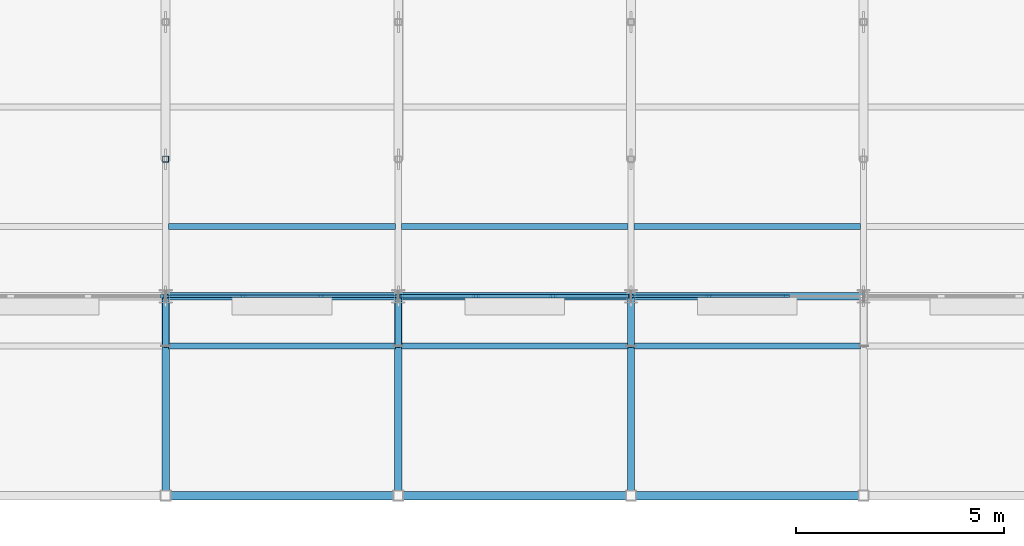
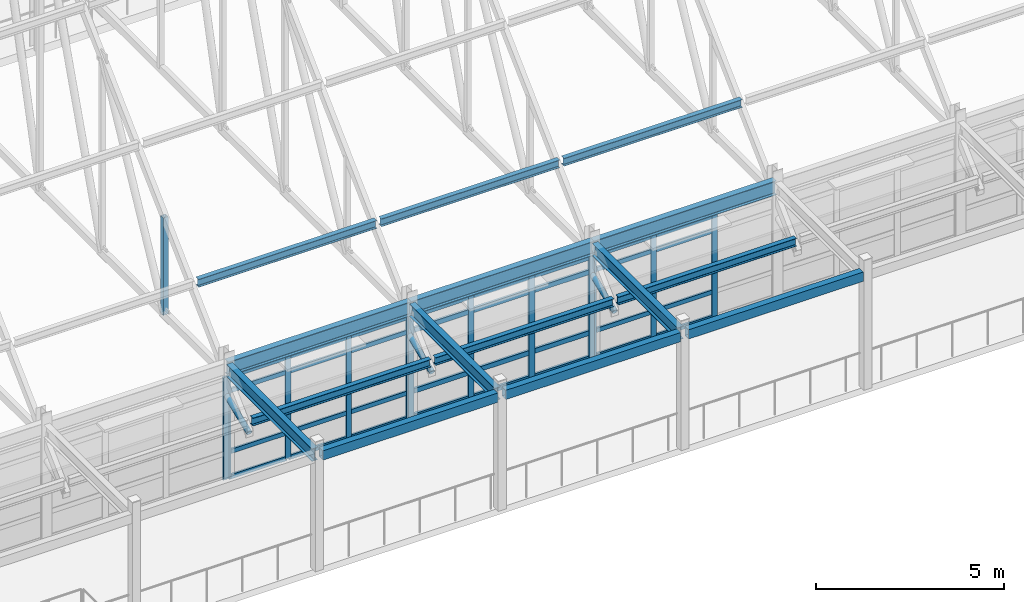
# One storey, part 24 of 144: 54 members, 9 beams, 4 elements without a shape of their own.
"""IFC4 building model written with IfcOpenShell, lengths in metres."""

from ifc_helpers import new_model, si_unit, direction, frame, origin, origin_2d, place, context, subcontext, project, spatial, rectangle, hollow_rectangle, hollow_circle, i_section, extrude, material, layer, layer_set, material_profile, profile_set, type_object, element, aggregate, save


model = new_model("IFC4")

# Units and contexts
model_context = context("Model", 3, precision=1e-05, world=origin(), true_north=direction((0.0, 1.0)))
body_context = subcontext(model_context, "Body", "Model", "MODEL_VIEW")
ifc_project = project(units=[si_unit("LENGTHUNIT", "METRE"), si_unit("AREAUNIT", "SQUARE_METRE"), si_unit("VOLUMEUNIT", "CUBIC_METRE"), si_unit("PLANEANGLEUNIT", "RADIAN"), si_unit("MASSUNIT", "GRAM", prefix="KILO")], contexts=[model_context])

# Site, building, storey
site_placement = place(None, origin())
site = spatial("IfcSite", under=ifc_project, at=site_placement, CompositionType="ELEMENT")
building_placement = place(site_placement, origin())
building = spatial("IfcBuilding", under=site, at=building_placement, Name="Trelmorton Wharf Fire Station", CompositionType="ELEMENT")
storey_placement = place(building_placement, frame((0.0, 0.0, 5.39990234375)))
storey = spatial("IfcBuildingStorey", under=building, at=storey_placement, Name="L01", CompositionType="ELEMENT", Elevation=5.39990234375)

# Beams
ifc_material_1 = material(Name="Steel Grade 350", Category="steel")
ifc_material_profile_1 = material_profile(ifc_material_1, i_section(OverallWidth=0.177978515625, OverallDepth=0.406005859375, WebThickness=0.0078125, FlangeThickness=0.0126953125, FilletRadius=0.011474609375, at=origin_2d()), Name="410UB59.7")
ifc_profile_set_1 = profile_set([ifc_material_profile_1], Name="Steel Grade 350")
beam_type_1 = type_object("IfcBeamType", Name="BM_410UB60", PredefinedType="BEAM", material=ifc_profile_set_1)
for number, where, z_axis, x_axis, name in (
    (1, (17.60009765625, 3.12109375, 3.6171875), (0.0, 1.0, 0.0), (-1.0, 0.0, 0.0), "BM-L01-0575"),
    (2, (23.199951171875, 3.12109375, 3.6171875), (0.0, 1.0, 0.0), (-1.0, 0.0, 0.0), "BM-L01-0579"),
    (3, (28.800048828125, 3.12109375, 3.6171875), (0.0, 1.0, 0.0), (-1.0, 0.0, 0.0), "BM-L01-0580"),
):
    element("IfcBeam", number, at=place(storey_placement, frame(where, z_axis=z_axis, x_axis=x_axis)), inside=storey, type_object=beam_type_1, Name=name, PredefinedType="BEAM", context=body_context, shape_type="SweptSolid", body=[
        extrude(i_section(OverallWidth=0.177978515625, OverallDepth=0.406005859375, WebThickness=0.0078125, FlangeThickness=0.0126953125, FilletRadius=0.011474609375, at=origin_2d()), origin(), (0.0, 0.0, 1.0), 4.525390625),
    ])
ifc_material_2 = material(Name="Signal-red architectural steel Grade 350", Category="steel")
ifc_material_profile_2 = material_profile(ifc_material_2, hollow_rectangle(XDim=0.199951171875, YDim=0.300048828125, WallThickness=0.012451171875, at=origin_2d()), Name="300x200x12.5RHS")
ifc_profile_set_2 = profile_set([ifc_material_profile_2], Name="Signal-red architectural steel Grade 350")
beam_type_2 = type_object("IfcBeamType", Name="BM_RED_300RHS", PredefinedType="BEAM", material=ifc_profile_set_2)
beam_1_placement = place(storey_placement, frame((17.720947265625, 3.0, 3.670166015625), z_axis=(1.0, 0.0, 0.0), x_axis=(0.0, 1.0, 0.0)))
element("IfcBeam", 4, at=beam_1_placement, inside=storey, type_object=beam_type_2, Name="BM-L01-0396", PredefinedType="BEAM", context=body_context, shape_type="SweptSolid", body=[
    extrude(hollow_rectangle(XDim=0.199951171875, YDim=0.300048828125, WallThickness=0.012451171875, at=origin_2d()), origin(), (0.0, 0.0, 1.0), 5.358154296875),
])
beam_2_placement = place(storey_placement, frame((23.321044921875, 3.0, 3.670166015625), z_axis=(1.0, 0.0, 0.0), x_axis=(0.0, 1.0, 0.0)))
element("IfcBeam", 5, at=beam_2_placement, inside=storey, type_object=beam_type_2, Name="BM-L01-0397", PredefinedType="BEAM", context=body_context, shape_type="SweptSolid", body=[
    extrude(hollow_rectangle(XDim=0.199951171875, YDim=0.300048828125, WallThickness=0.012451171875, at=origin_2d()), origin(), (0.0, 0.0, 1.0), 5.35791015625),
])
beam_3_placement = place(storey_placement, frame((28.9208984375, 3.0, 3.670166015625), z_axis=(1.0, 0.0, 0.0), x_axis=(0.0, 1.0, 0.0)))
element("IfcBeam", 6, at=beam_3_placement, inside=storey, type_object=beam_type_2, Name="BM-L01-0398", PredefinedType="BEAM", context=body_context, shape_type="SweptSolid", body=[
    extrude(hollow_rectangle(XDim=0.199951171875, YDim=0.300048828125, WallThickness=0.012451171875, at=origin_2d()), origin(), (0.0, 0.0, 1.0), 5.358154296875),
])

# Curtain wall, members
ifc_material_3 = material(Name="Anodised aluminium AW-6063", Category="aluminium")
ifc_layer = layer(ifc_material_3, 0.159912109375)
ifc_layer_set = layer_set([ifc_layer], Name="Anodised aluminium AW-6063")
curtain_wall_type = type_object("IfcCurtainWallType", Name="CW_CHIC_A", PredefinedType="USERDEFINED", material=ifc_layer_set)
curtain_wall_1_placement = place(storey_placement, origin())
curtain_wall_1 = element("IfcCurtainWall", 7, at=curtain_wall_1_placement, inside=storey, type_object=curtain_wall_type, Name="CW-V1-L01-003", ObjectType="CHICAGO BAY CURTAIN WALL", PredefinedType="USERDEFINED")
ifc_material_profile_3 = material_profile(ifc_material_3, rectangle(XDim=0.06494140625, YDim=0.159912109375, at=origin_2d()), Name="ALU-65x160")
ifc_profile_set_3 = profile_set([ifc_material_profile_3], Name="Anodised aluminium AW-6063")
member_type_1 = type_object("IfcMemberType", Name="CWM_65x160", PredefinedType="MULLION", material=ifc_profile_set_3)
member_1_placement = place(storey_placement, frame((23.1650390625, 7.800048828125, 0.0), z_axis=(0.0, 0.0, 1.0), x_axis=(0.0, -1.0, 0.0)))
member_1 = element("IfcMember", 8, at=member_1_placement, type_object=member_type_1, Name="CW1 mullion 1", PredefinedType="MULLION", context=body_context, shape_type="SweptSolid", body=[
    extrude(rectangle(XDim=0.06494140625, YDim=0.159912109375, at=origin_2d()), origin(), (0.0, 0.0, 1.0), 3.320068359375),
])
member_2_placement = place(storey_placement, frame((21.331787109375, 7.800048828125, 0.0), z_axis=(0.0, 0.0, 1.0), x_axis=(0.0, -1.0, 0.0)))
member_2 = element("IfcMember", 9, at=member_2_placement, type_object=member_type_1, Name="CW1 mullion 2", PredefinedType="MULLION", context=body_context, shape_type="SweptSolid", body=[
    extrude(rectangle(XDim=0.06494140625, YDim=0.159912109375, at=origin_2d()), origin(), (0.0, 0.0, 1.0), 3.320068359375),
])
member_3_placement = place(storey_placement, frame((19.46826171875, 7.800048828125, 0.0), z_axis=(0.0, 0.0, 1.0), x_axis=(0.0, -1.0, 0.0)))
member_3 = element("IfcMember", 10, at=member_3_placement, type_object=member_type_1, Name="CW1 mullion 3", PredefinedType="MULLION", context=body_context, shape_type="SweptSolid", body=[
    extrude(rectangle(XDim=0.06494140625, YDim=0.159912109375, at=origin_2d()), origin(), (0.0, 0.0, 1.0), 3.320068359375),
])
member_4_placement = place(storey_placement, frame((17.635009765625, 7.800048828125, 0.0), z_axis=(0.0, 0.0, 1.0), x_axis=(0.0, -1.0, 0.0)))
member_4 = element("IfcMember", 11, at=member_4_placement, type_object=member_type_1, Name="CW1 mullion 4", PredefinedType="MULLION", context=body_context, shape_type="SweptSolid", body=[
    extrude(rectangle(XDim=0.06494140625, YDim=0.159912109375, at=origin_2d()), origin(), (0.0, 0.0, 1.0), 3.320068359375),
])

curtain_wall_2_placement = place(storey_placement, origin())
curtain_wall_2 = element("IfcCurtainWall", 12, at=curtain_wall_2_placement, inside=storey, type_object=curtain_wall_type, Name="CW-V1-L01-005", ObjectType="CHICAGO BAY CURTAIN WALL", PredefinedType="USERDEFINED")
member_5_placement = place(storey_placement, frame((32.53173828125, 7.800048828125, 0.0), z_axis=(0.0, 0.0, 1.0), x_axis=(0.0, -1.0, 0.0)))
member_5 = element("IfcMember", 13, at=member_5_placement, type_object=member_type_1, Name="CW1 mullion 2", PredefinedType="MULLION", context=body_context, shape_type="SweptSolid", body=[
    extrude(rectangle(XDim=0.06494140625, YDim=0.159912109375, at=origin_2d()), origin(), (0.0, 0.0, 1.0), 3.320068359375),
])
member_6_placement = place(storey_placement, frame((30.668212890625, 7.800048828125, 0.0), z_axis=(0.0, 0.0, 1.0), x_axis=(0.0, -1.0, 0.0)))
member_6 = element("IfcMember", 14, at=member_6_placement, type_object=member_type_1, Name="CW1 mullion 3", PredefinedType="MULLION", context=body_context, shape_type="SweptSolid", body=[
    extrude(rectangle(XDim=0.06494140625, YDim=0.159912109375, at=origin_2d()), origin(), (0.0, 0.0, 1.0), 3.320068359375),
])
member_7_placement = place(storey_placement, frame((28.8349609375, 7.800048828125, 0.0), z_axis=(0.0, 0.0, 1.0), x_axis=(0.0, -1.0, 0.0)))
member_7 = element("IfcMember", 15, at=member_7_placement, type_object=member_type_1, Name="CW1 mullion 4", PredefinedType="MULLION", context=body_context, shape_type="SweptSolid", body=[
    extrude(rectangle(XDim=0.06494140625, YDim=0.159912109375, at=origin_2d()), origin(), (0.0, 0.0, 1.0), 3.320068359375),
])

# Curtain wall, member
curtain_wall_3_placement = place(storey_placement, origin())
curtain_wall_3 = element("IfcCurtainWall", 16, at=curtain_wall_3_placement, inside=storey, type_object=curtain_wall_type, Name="CW-V1-L01-002", ObjectType="CHICAGO BAY CURTAIN WALL", PredefinedType="USERDEFINED")
ifc_material_profile_4 = material_profile(ifc_material_3, rectangle(XDim=0.074951171875, YDim=0.175048828125, at=origin_2d()), Name="ALU-75x175")
ifc_profile_set_4 = profile_set([ifc_material_profile_4], Name="Anodised aluminium AW-6063")
member_type_2 = type_object("IfcMemberType", Name="CWM_75x175", PredefinedType="MULLION", material=ifc_profile_set_4)
member_8_placement = place(storey_placement, frame((17.56494140625, 7.800048828125, 0.0), z_axis=(0.0, 0.0, 1.0), x_axis=(0.0, -1.0, 0.0)))
member_8 = element("IfcMember", 17, at=member_8_placement, type_object=member_type_2, Name="CW1 mullion 1", PredefinedType="MULLION", context=body_context, shape_type="SweptSolid", body=[
    extrude(rectangle(XDim=0.074951171875, YDim=0.175048828125, at=origin_2d()), origin(), (0.0, 0.0, 1.0), 3.320068359375),
])
aggregate(curtain_wall_3, [member_8])

# Curtain wall, members
curtain_wall_4_placement = place(storey_placement, origin())
curtain_wall_4 = element("IfcCurtainWall", 18, at=curtain_wall_4_placement, inside=storey, type_object=curtain_wall_type, Name="CW-V1-L01-004", ObjectType="CHICAGO BAY CURTAIN WALL", PredefinedType="USERDEFINED")
member_9_placement = place(storey_placement, frame((28.764892578125, 7.800048828125, 0.0), z_axis=(0.0, 0.0, 1.0), x_axis=(0.0, -1.0, 0.0)))
member_9 = element("IfcMember", 19, at=member_9_placement, type_object=member_type_2, Name="CW1 mullion 1", PredefinedType="MULLION", context=body_context, shape_type="SweptSolid", body=[
    extrude(rectangle(XDim=0.074951171875, YDim=0.175048828125, at=origin_2d()), origin(), (0.0, 0.0, 1.0), 3.320068359375),
])
member_10_placement = place(storey_placement, frame((26.931640625, 7.800048828125, 0.0), z_axis=(0.0, 0.0, 1.0), x_axis=(0.0, -1.0, 0.0)))
member_10 = element("IfcMember", 20, at=member_10_placement, type_object=member_type_2, Name="CW1 mullion 2", PredefinedType="MULLION", context=body_context, shape_type="SweptSolid", body=[
    extrude(rectangle(XDim=0.074951171875, YDim=0.175048828125, at=origin_2d()), origin(), (0.0, 0.0, 1.0), 3.320068359375),
])
member_11_placement = place(storey_placement, frame((25.068359375, 7.800048828125, 0.0), z_axis=(0.0, 0.0, 1.0), x_axis=(0.0, -1.0, 0.0)))
member_11 = element("IfcMember", 21, at=member_11_placement, type_object=member_type_2, Name="CW1 mullion 3", PredefinedType="MULLION", context=body_context, shape_type="SweptSolid", body=[
    extrude(rectangle(XDim=0.074951171875, YDim=0.175048828125, at=origin_2d()), origin(), (0.0, 0.0, 1.0), 3.320068359375),
])
member_12_placement = place(storey_placement, frame((23.235107421875, 7.800048828125, 0.0), z_axis=(0.0, 0.0, 1.0), x_axis=(0.0, -1.0, 0.0)))
member_12 = element("IfcMember", 22, at=member_12_placement, type_object=member_type_2, Name="CW1 mullion 4", PredefinedType="MULLION", context=body_context, shape_type="SweptSolid", body=[
    extrude(rectangle(XDim=0.074951171875, YDim=0.175048828125, at=origin_2d()), origin(), (0.0, 0.0, 1.0), 3.320068359375),
])

# Member
ifc_material_profile_5 = material_profile(ifc_material_3, rectangle(XDim=0.06494140625, YDim=0.139892578125, at=origin_2d()), Name="ALU-65x140")
ifc_profile_set_5 = profile_set([ifc_material_profile_5], Name="Anodised aluminium AW-6063")
member_type_3 = type_object("IfcMemberType", Name="CWT_65x140", PredefinedType="USERDEFINED", material=ifc_profile_set_5)
member_13_placement = place(storey_placement, frame((23.135009765625, 7.800048828125, 0.030029296875), z_axis=(-1.0, 0.0, 0.0), x_axis=(0.0, -1.0, 0.0)))
member_13 = element("IfcMember", 23, at=member_13_placement, type_object=member_type_3, Name="CW1 transom 1.1", ObjectType="TRANSOM", PredefinedType="USERDEFINED", context=body_context, shape_type="SweptSolid", body=[
    extrude(rectangle(XDim=0.06494140625, YDim=0.139892578125, at=origin_2d()), origin(), (0.0, 0.0, 1.0), 1.7734375),
])

member_14_placement = place(storey_placement, frame((23.135009765625, 7.800048828125, 0.85009765625), z_axis=(-1.0, 0.0, 0.0), x_axis=(0.0, -1.0, 0.0)))
member_14 = element("IfcMember", 24, at=member_14_placement, type_object=member_type_3, Name="CW1 transom 1.2", ObjectType="TRANSOM", PredefinedType="USERDEFINED", context=body_context, shape_type="SweptSolid", body=[
    extrude(rectangle(XDim=0.06494140625, YDim=0.139892578125, at=origin_2d()), origin(), (0.0, 0.0, 1.0), 1.7734375),
])

member_15_placement = place(storey_placement, frame((23.135009765625, 7.800048828125, 2.820068359375), z_axis=(-1.0, 0.0, 0.0), x_axis=(0.0, -1.0, 0.0)))
member_15 = element("IfcMember", 25, at=member_15_placement, type_object=member_type_3, Name="CW1 transom 1.3", ObjectType="TRANSOM", PredefinedType="USERDEFINED", context=body_context, shape_type="SweptSolid", body=[
    extrude(rectangle(XDim=0.06494140625, YDim=0.139892578125, at=origin_2d()), origin(), (0.0, 0.0, 1.0), 1.7734375),
])

member_16_placement = place(storey_placement, frame((23.135009765625, 7.800048828125, 3.2900390625), z_axis=(-1.0, 0.0, 0.0), x_axis=(0.0, -1.0, 0.0)))
member_16 = element("IfcMember", 26, at=member_16_placement, type_object=member_type_3, Name="CW1 transom 1.4", ObjectType="TRANSOM", PredefinedType="USERDEFINED", context=body_context, shape_type="SweptSolid", body=[
    extrude(rectangle(XDim=0.06494140625, YDim=0.139892578125, at=origin_2d()), origin(), (0.0, 0.0, 1.0), 1.7734375),
])

member_17_placement = place(storey_placement, frame((21.3017578125, 7.800048828125, 0.030029296875), z_axis=(-1.0, 0.0, 0.0), x_axis=(0.0, -1.0, 0.0)))
member_17 = element("IfcMember", 27, at=member_17_placement, type_object=member_type_3, Name="CW1 transom 2.1", ObjectType="TRANSOM", PredefinedType="USERDEFINED", context=body_context, shape_type="SweptSolid", body=[
    extrude(rectangle(XDim=0.06494140625, YDim=0.139892578125, at=origin_2d()), origin(), (0.0, 0.0, 1.0), 1.803466796875),
])

member_18_placement = place(storey_placement, frame((21.3017578125, 7.800048828125, 0.85009765625), z_axis=(-1.0, 0.0, 0.0), x_axis=(0.0, -1.0, 0.0)))
member_18 = element("IfcMember", 28, at=member_18_placement, type_object=member_type_3, Name="CW1 transom 2.2", ObjectType="TRANSOM", PredefinedType="USERDEFINED", context=body_context, shape_type="SweptSolid", body=[
    extrude(rectangle(XDim=0.06494140625, YDim=0.139892578125, at=origin_2d()), origin(), (0.0, 0.0, 1.0), 1.803466796875),
])

member_19_placement = place(storey_placement, frame((21.3017578125, 7.800048828125, 2.820068359375), z_axis=(-1.0, 0.0, 0.0), x_axis=(0.0, -1.0, 0.0)))
member_19 = element("IfcMember", 29, at=member_19_placement, type_object=member_type_3, Name="CW1 transom 2.3", ObjectType="TRANSOM", PredefinedType="USERDEFINED", context=body_context, shape_type="SweptSolid", body=[
    extrude(rectangle(XDim=0.06494140625, YDim=0.139892578125, at=origin_2d()), origin(), (0.0, 0.0, 1.0), 1.803466796875),
])

member_20_placement = place(storey_placement, frame((21.3017578125, 7.800048828125, 3.2900390625), z_axis=(-1.0, 0.0, 0.0), x_axis=(0.0, -1.0, 0.0)))
member_20 = element("IfcMember", 30, at=member_20_placement, type_object=member_type_3, Name="CW1 transom 2.4", ObjectType="TRANSOM", PredefinedType="USERDEFINED", context=body_context, shape_type="SweptSolid", body=[
    extrude(rectangle(XDim=0.06494140625, YDim=0.139892578125, at=origin_2d()), origin(), (0.0, 0.0, 1.0), 1.803466796875),
])

member_21_placement = place(storey_placement, frame((19.438232421875, 7.800048828125, 0.030029296875), z_axis=(-1.0, 0.0, 0.0), x_axis=(0.0, -1.0, 0.0)))
member_21 = element("IfcMember", 31, at=member_21_placement, type_object=member_type_3, Name="CW1 transom 3.1", ObjectType="TRANSOM", PredefinedType="USERDEFINED", context=body_context, shape_type="SweptSolid", body=[
    extrude(rectangle(XDim=0.06494140625, YDim=0.139892578125, at=origin_2d()), origin(), (0.0, 0.0, 1.0), 1.773193359375),
])

member_22_placement = place(storey_placement, frame((19.438232421875, 7.800048828125, 0.85009765625), z_axis=(-1.0, 0.0, 0.0), x_axis=(0.0, -1.0, 0.0)))
member_22 = element("IfcMember", 32, at=member_22_placement, type_object=member_type_3, Name="CW1 transom 3.2", ObjectType="TRANSOM", PredefinedType="USERDEFINED", context=body_context, shape_type="SweptSolid", body=[
    extrude(rectangle(XDim=0.06494140625, YDim=0.139892578125, at=origin_2d()), origin(), (0.0, 0.0, 1.0), 1.773193359375),
])

member_23_placement = place(storey_placement, frame((19.438232421875, 7.800048828125, 2.820068359375), z_axis=(-1.0, 0.0, 0.0), x_axis=(0.0, -1.0, 0.0)))
member_23 = element("IfcMember", 33, at=member_23_placement, type_object=member_type_3, Name="CW1 transom 3.3", ObjectType="TRANSOM", PredefinedType="USERDEFINED", context=body_context, shape_type="SweptSolid", body=[
    extrude(rectangle(XDim=0.06494140625, YDim=0.139892578125, at=origin_2d()), origin(), (0.0, 0.0, 1.0), 1.773193359375),
])

member_24_placement = place(storey_placement, frame((19.438232421875, 7.800048828125, 3.2900390625), z_axis=(-1.0, 0.0, 0.0), x_axis=(0.0, -1.0, 0.0)))
member_24 = element("IfcMember", 34, at=member_24_placement, type_object=member_type_3, Name="CW1 transom 3.4", ObjectType="TRANSOM", PredefinedType="USERDEFINED", context=body_context, shape_type="SweptSolid", body=[
    extrude(rectangle(XDim=0.06494140625, YDim=0.139892578125, at=origin_2d()), origin(), (0.0, 0.0, 1.0), 1.773193359375),
])

aggregate(curtain_wall_1, [member_1, member_2, member_3, member_4, member_13, member_14, member_15, member_16, member_17, member_18, member_19, member_20, member_21, member_22, member_23, member_24])

member_25_placement = place(storey_placement, frame((32.501708984375, 7.800048828125, 0.030029296875), z_axis=(-1.0, 0.0, 0.0), x_axis=(0.0, -1.0, 0.0)))
member_25 = element("IfcMember", 35, at=member_25_placement, type_object=member_type_3, Name="CW1 transom 2.1", ObjectType="TRANSOM", PredefinedType="USERDEFINED", context=body_context, shape_type="SweptSolid", body=[
    extrude(rectangle(XDim=0.06494140625, YDim=0.139892578125, at=origin_2d()), origin(), (0.0, 0.0, 1.0), 1.803466796875),
])

member_26_placement = place(storey_placement, frame((32.501708984375, 7.800048828125, 0.85009765625), z_axis=(-1.0, 0.0, 0.0), x_axis=(0.0, -1.0, 0.0)))
member_26 = element("IfcMember", 36, at=member_26_placement, type_object=member_type_3, Name="CW1 transom 2.2", ObjectType="TRANSOM", PredefinedType="USERDEFINED", context=body_context, shape_type="SweptSolid", body=[
    extrude(rectangle(XDim=0.06494140625, YDim=0.139892578125, at=origin_2d()), origin(), (0.0, 0.0, 1.0), 1.803466796875),
])

member_27_placement = place(storey_placement, frame((32.501708984375, 7.800048828125, 2.820068359375), z_axis=(-1.0, 0.0, 0.0), x_axis=(0.0, -1.0, 0.0)))
member_27 = element("IfcMember", 37, at=member_27_placement, type_object=member_type_3, Name="CW1 transom 2.3", ObjectType="TRANSOM", PredefinedType="USERDEFINED", context=body_context, shape_type="SweptSolid", body=[
    extrude(rectangle(XDim=0.06494140625, YDim=0.139892578125, at=origin_2d()), origin(), (0.0, 0.0, 1.0), 1.803466796875),
])

member_28_placement = place(storey_placement, frame((32.501708984375, 7.800048828125, 3.2900390625), z_axis=(-1.0, 0.0, 0.0), x_axis=(0.0, -1.0, 0.0)))
member_28 = element("IfcMember", 38, at=member_28_placement, type_object=member_type_3, Name="CW1 transom 2.4", ObjectType="TRANSOM", PredefinedType="USERDEFINED", context=body_context, shape_type="SweptSolid", body=[
    extrude(rectangle(XDim=0.06494140625, YDim=0.139892578125, at=origin_2d()), origin(), (0.0, 0.0, 1.0), 1.803466796875),
])

member_29_placement = place(storey_placement, frame((30.638427734375, 7.800048828125, 0.030029296875), z_axis=(-1.0, 0.0, 0.0), x_axis=(0.0, -1.0, 0.0)))
member_29 = element("IfcMember", 39, at=member_29_placement, type_object=member_type_3, Name="CW1 transom 3.1", ObjectType="TRANSOM", PredefinedType="USERDEFINED", context=body_context, shape_type="SweptSolid", body=[
    extrude(rectangle(XDim=0.06494140625, YDim=0.139892578125, at=origin_2d()), origin(), (0.0, 0.0, 1.0), 1.7734375),
])

member_30_placement = place(storey_placement, frame((30.638427734375, 7.800048828125, 0.85009765625), z_axis=(-1.0, 0.0, 0.0), x_axis=(0.0, -1.0, 0.0)))
member_30 = element("IfcMember", 40, at=member_30_placement, type_object=member_type_3, Name="CW1 transom 3.2", ObjectType="TRANSOM", PredefinedType="USERDEFINED", context=body_context, shape_type="SweptSolid", body=[
    extrude(rectangle(XDim=0.06494140625, YDim=0.139892578125, at=origin_2d()), origin(), (0.0, 0.0, 1.0), 1.7734375),
])

member_31_placement = place(storey_placement, frame((30.638427734375, 7.800048828125, 2.820068359375), z_axis=(-1.0, 0.0, 0.0), x_axis=(0.0, -1.0, 0.0)))
member_31 = element("IfcMember", 41, at=member_31_placement, type_object=member_type_3, Name="CW1 transom 3.3", ObjectType="TRANSOM", PredefinedType="USERDEFINED", context=body_context, shape_type="SweptSolid", body=[
    extrude(rectangle(XDim=0.06494140625, YDim=0.139892578125, at=origin_2d()), origin(), (0.0, 0.0, 1.0), 1.7734375),
])

member_32_placement = place(storey_placement, frame((30.638427734375, 7.800048828125, 3.2900390625), z_axis=(-1.0, 0.0, 0.0), x_axis=(0.0, -1.0, 0.0)))
member_32 = element("IfcMember", 42, at=member_32_placement, type_object=member_type_3, Name="CW1 transom 3.4", ObjectType="TRANSOM", PredefinedType="USERDEFINED", context=body_context, shape_type="SweptSolid", body=[
    extrude(rectangle(XDim=0.06494140625, YDim=0.139892578125, at=origin_2d()), origin(), (0.0, 0.0, 1.0), 1.7734375),
])

aggregate(curtain_wall_2, [member_5, member_6, member_7, member_25, member_26, member_27, member_28, member_29, member_30, member_31, member_32])

ifc_material_profile_6 = material_profile(ifc_material_3, rectangle(XDim=0.074951171875, YDim=0.155029296875, at=origin_2d()), Name="ALU-75x155")
ifc_profile_set_6 = profile_set([ifc_material_profile_6], Name="Anodised aluminium AW-6063")
member_type_4 = type_object("IfcMemberType", Name="CWT_75x155", PredefinedType="USERDEFINED", material=ifc_profile_set_6)
member_33_placement = place(storey_placement, frame((28.735107421875, 7.800048828125, 0.030029296875), z_axis=(-1.0, 0.0, 0.0), x_axis=(0.0, -1.0, 0.0)))
member_33 = element("IfcMember", 43, at=member_33_placement, type_object=member_type_4, Name="CW1 transom 1.1", ObjectType="TRANSOM", PredefinedType="USERDEFINED", context=body_context, shape_type="SweptSolid", body=[
    extrude(rectangle(XDim=0.074951171875, YDim=0.155029296875, at=origin_2d()), origin(), (0.0, 0.0, 1.0), 1.7734375),
])

member_34_placement = place(storey_placement, frame((28.735107421875, 7.800048828125, 0.85009765625), z_axis=(-1.0, 0.0, 0.0), x_axis=(0.0, -1.0, 0.0)))
member_34 = element("IfcMember", 44, at=member_34_placement, type_object=member_type_4, Name="CW1 transom 1.2", ObjectType="TRANSOM", PredefinedType="USERDEFINED", context=body_context, shape_type="SweptSolid", body=[
    extrude(rectangle(XDim=0.074951171875, YDim=0.155029296875, at=origin_2d()), origin(), (0.0, 0.0, 1.0), 1.7734375),
])

member_35_placement = place(storey_placement, frame((28.735107421875, 7.800048828125, 2.820068359375), z_axis=(-1.0, 0.0, 0.0), x_axis=(0.0, -1.0, 0.0)))
member_35 = element("IfcMember", 45, at=member_35_placement, type_object=member_type_4, Name="CW1 transom 1.3", ObjectType="TRANSOM", PredefinedType="USERDEFINED", context=body_context, shape_type="SweptSolid", body=[
    extrude(rectangle(XDim=0.074951171875, YDim=0.155029296875, at=origin_2d()), origin(), (0.0, 0.0, 1.0), 1.7734375),
])

member_36_placement = place(storey_placement, frame((28.735107421875, 7.800048828125, 3.2900390625), z_axis=(-1.0, 0.0, 0.0), x_axis=(0.0, -1.0, 0.0)))
member_36 = element("IfcMember", 46, at=member_36_placement, type_object=member_type_4, Name="CW1 transom 1.4", ObjectType="TRANSOM", PredefinedType="USERDEFINED", context=body_context, shape_type="SweptSolid", body=[
    extrude(rectangle(XDim=0.074951171875, YDim=0.155029296875, at=origin_2d()), origin(), (0.0, 0.0, 1.0), 1.7734375),
])

member_37_placement = place(storey_placement, frame((26.901611328125, 7.800048828125, 0.030029296875), z_axis=(-1.0, 0.0, 0.0), x_axis=(0.0, -1.0, 0.0)))
member_37 = element("IfcMember", 47, at=member_37_placement, type_object=member_type_4, Name="CW1 transom 2.1", ObjectType="TRANSOM", PredefinedType="USERDEFINED", context=body_context, shape_type="SweptSolid", body=[
    extrude(rectangle(XDim=0.074951171875, YDim=0.155029296875, at=origin_2d()), origin(), (0.0, 0.0, 1.0), 1.80322265625),
])

member_38_placement = place(storey_placement, frame((26.901611328125, 7.800048828125, 0.85009765625), z_axis=(-1.0, 0.0, 0.0), x_axis=(0.0, -1.0, 0.0)))
member_38 = element("IfcMember", 48, at=member_38_placement, type_object=member_type_4, Name="CW1 transom 2.2", ObjectType="TRANSOM", PredefinedType="USERDEFINED", context=body_context, shape_type="SweptSolid", body=[
    extrude(rectangle(XDim=0.074951171875, YDim=0.155029296875, at=origin_2d()), origin(), (0.0, 0.0, 1.0), 1.80322265625),
])

member_39_placement = place(storey_placement, frame((26.901611328125, 7.800048828125, 2.820068359375), z_axis=(-1.0, 0.0, 0.0), x_axis=(0.0, -1.0, 0.0)))
member_39 = element("IfcMember", 49, at=member_39_placement, type_object=member_type_4, Name="CW1 transom 2.3", ObjectType="TRANSOM", PredefinedType="USERDEFINED", context=body_context, shape_type="SweptSolid", body=[
    extrude(rectangle(XDim=0.074951171875, YDim=0.155029296875, at=origin_2d()), origin(), (0.0, 0.0, 1.0), 1.80322265625),
])

member_40_placement = place(storey_placement, frame((26.901611328125, 7.800048828125, 3.2900390625), z_axis=(-1.0, 0.0, 0.0), x_axis=(0.0, -1.0, 0.0)))
member_40 = element("IfcMember", 50, at=member_40_placement, type_object=member_type_4, Name="CW1 transom 2.4", ObjectType="TRANSOM", PredefinedType="USERDEFINED", context=body_context, shape_type="SweptSolid", body=[
    extrude(rectangle(XDim=0.074951171875, YDim=0.155029296875, at=origin_2d()), origin(), (0.0, 0.0, 1.0), 1.80322265625),
])

member_41_placement = place(storey_placement, frame((25.038330078125, 7.800048828125, 0.030029296875), z_axis=(-1.0, 0.0, 0.0), x_axis=(0.0, -1.0, 0.0)))
member_41 = element("IfcMember", 51, at=member_41_placement, type_object=member_type_4, Name="CW1 transom 3.1", ObjectType="TRANSOM", PredefinedType="USERDEFINED", context=body_context, shape_type="SweptSolid", body=[
    extrude(rectangle(XDim=0.074951171875, YDim=0.155029296875, at=origin_2d()), origin(), (0.0, 0.0, 1.0), 1.7734375),
])

member_42_placement = place(storey_placement, frame((25.038330078125, 7.800048828125, 0.85009765625), z_axis=(-1.0, 0.0, 0.0), x_axis=(0.0, -1.0, 0.0)))
member_42 = element("IfcMember", 52, at=member_42_placement, type_object=member_type_4, Name="CW1 transom 3.2", ObjectType="TRANSOM", PredefinedType="USERDEFINED", context=body_context, shape_type="SweptSolid", body=[
    extrude(rectangle(XDim=0.074951171875, YDim=0.155029296875, at=origin_2d()), origin(), (0.0, 0.0, 1.0), 1.7734375),
])

member_43_placement = place(storey_placement, frame((25.038330078125, 7.800048828125, 2.820068359375), z_axis=(-1.0, 0.0, 0.0), x_axis=(0.0, -1.0, 0.0)))
member_43 = element("IfcMember", 53, at=member_43_placement, type_object=member_type_4, Name="CW1 transom 3.3", ObjectType="TRANSOM", PredefinedType="USERDEFINED", context=body_context, shape_type="SweptSolid", body=[
    extrude(rectangle(XDim=0.074951171875, YDim=0.155029296875, at=origin_2d()), origin(), (0.0, 0.0, 1.0), 1.7734375),
])

member_44_placement = place(storey_placement, frame((25.038330078125, 7.800048828125, 3.2900390625), z_axis=(-1.0, 0.0, 0.0), x_axis=(0.0, -1.0, 0.0)))
member_44 = element("IfcMember", 54, at=member_44_placement, type_object=member_type_4, Name="CW1 transom 3.4", ObjectType="TRANSOM", PredefinedType="USERDEFINED", context=body_context, shape_type="SweptSolid", body=[
    extrude(rectangle(XDim=0.074951171875, YDim=0.155029296875, at=origin_2d()), origin(), (0.0, 0.0, 1.0), 1.7734375),
])

aggregate(curtain_wall_4, [member_9, member_10, member_11, member_12, member_33, member_34, member_35, member_36, member_37, member_38, member_39, member_40, member_41, member_42, member_43, member_44])

# Members
ifc_material_4 = material(Name="Steel Grade 300 (300 MPa)", Category="steel")
ifc_material_profile_7 = material_profile(ifc_material_4, i_section(OverallWidth=0.14599609375, OverallDepth=0.256103515625, WebThickness=0.00634765625, FlangeThickness=0.010986328125, FilletRadius=0.0087890625, at=origin_2d()), Name="250UB37.3")
ifc_profile_set_7 = profile_set([ifc_material_profile_7], Name="Steel Grade 300 (300 MPa)")
member_type_5 = type_object("IfcMemberType", Name="PR_250UB37", PredefinedType="PURLIN", material=ifc_profile_set_7)
for number, where, z_axis, x_axis, name in (
    (55, (17.672119140625, 6.60009765625, 2.566162109375), (1.0, 0.0, 0.0), (0.0, 1.0, 0.0), "V1-PR-B04-S0"),
    (56, (17.672119140625, 9.47998046875, 5.315185546875), (1.0, 0.0, 0.0), (0.0, 1.0, 0.0), "V1-PR-B04-S1"),
):
    element("IfcMember", number, at=place(storey_placement, frame(where, z_axis=z_axis, x_axis=x_axis)), inside=storey, type_object=member_type_5, Name=name, PredefinedType="PURLIN", context=body_context, shape_type="SweptSolid", body=[
        extrude(i_section(OverallWidth=0.14599609375, OverallDepth=0.256103515625, WebThickness=0.00634765625, FlangeThickness=0.010986328125, FilletRadius=0.0087890625, at=origin_2d()), origin(), (0.0, 0.0, 1.0), 5.455810546875),
    ])
for number, where, z_axis, x_axis, name in (
    (57, (23.27197265625, 6.60009765625, 2.566162109375), (1.0, 0.0, 0.0), (0.0, 1.0, 0.0), "V1-PR-B05-S0"),
    (58, (23.27197265625, 9.47998046875, 5.315185546875), (1.0, 0.0, 0.0), (0.0, 1.0, 0.0), "V1-PR-B05-S1"),
):
    element("IfcMember", number, at=place(storey_placement, frame(where, z_axis=z_axis, x_axis=x_axis)), inside=storey, type_object=member_type_5, Name=name, PredefinedType="PURLIN", context=body_context, shape_type="SweptSolid", body=[
        extrude(i_section(OverallWidth=0.14599609375, OverallDepth=0.256103515625, WebThickness=0.00634765625, FlangeThickness=0.010986328125, FilletRadius=0.0087890625, at=origin_2d()), origin(), (0.0, 0.0, 1.0), 5.4560546875),
    ])
for number, where, z_axis, x_axis, name in (
    (59, (28.8720703125, 6.60009765625, 2.566162109375), (1.0, 0.0, 0.0), (0.0, 1.0, 0.0), "V1-PR-B06-S0"),
    (60, (28.8720703125, 9.47998046875, 5.315185546875), (1.0, 0.0, 0.0), (0.0, 1.0, 0.0), "V1-PR-B06-S1"),
):
    element("IfcMember", number, at=place(storey_placement, frame(where, z_axis=z_axis, x_axis=x_axis)), inside=storey, type_object=member_type_5, Name=name, PredefinedType="PURLIN", context=body_context, shape_type="SweptSolid", body=[
        extrude(i_section(OverallWidth=0.14599609375, OverallDepth=0.256103515625, WebThickness=0.00634765625, FlangeThickness=0.010986328125, FilletRadius=0.0087890625, at=origin_2d()), origin(), (0.0, 0.0, 1.0), 5.455810546875),
    ])

# Beams
ifc_material_profile_8 = material_profile(ifc_material_1, i_section(OverallWidth=0.18994140625, OverallDepth=0.45703125, WebThickness=0.009033203125, FlangeThickness=0.014404296875, FilletRadius=0.011474609375, at=origin_2d()), Name="460UB74.6")
ifc_profile_set_8 = profile_set([ifc_material_profile_8], Name="Steel Grade 350")
beam_type_3 = type_object("IfcBeamType", Name="SP_460UB75", PredefinedType="SPANDREL", material=ifc_profile_set_8)
beam_4_placement = place(storey_placement, frame((17.60400390625, 7.800048828125, 3.591552734375), z_axis=(1.0, 0.0, 0.0), x_axis=(0.0, 1.0, 0.0)))
element("IfcBeam", 61, at=beam_4_placement, inside=storey, type_object=beam_type_3, Name="BM-L01-0407", PredefinedType="SPANDREL", context=body_context, shape_type="SweptSolid", body=[
    extrude(i_section(OverallWidth=0.18994140625, OverallDepth=0.45703125, WebThickness=0.009033203125, FlangeThickness=0.014404296875, FilletRadius=0.011474609375, at=origin_2d()), origin(), (0.0, 0.0, 1.0), 5.592041015625),
])
beam_5_placement = place(storey_placement, frame((23.2041015625, 7.800048828125, 3.591552734375), z_axis=(1.0, 0.0, 0.0), x_axis=(0.0, 1.0, 0.0)))
element("IfcBeam", 62, at=beam_5_placement, inside=storey, type_object=beam_type_3, Name="BM-L01-0408", PredefinedType="SPANDREL", context=body_context, shape_type="SweptSolid", body=[
    extrude(i_section(OverallWidth=0.18994140625, OverallDepth=0.45703125, WebThickness=0.009033203125, FlangeThickness=0.014404296875, FilletRadius=0.011474609375, at=origin_2d()), origin(), (0.0, 0.0, 1.0), 5.591796875),
])
beam_6_placement = place(storey_placement, frame((28.803955078125, 7.800048828125, 3.591552734375), z_axis=(1.0, 0.0, 0.0), x_axis=(0.0, 1.0, 0.0)))
element("IfcBeam", 63, at=beam_6_placement, inside=storey, type_object=beam_type_3, Name="BM-L01-0409", PredefinedType="SPANDREL", context=body_context, shape_type="SweptSolid", body=[
    extrude(i_section(OverallWidth=0.18994140625, OverallDepth=0.45703125, WebThickness=0.009033203125, FlangeThickness=0.014404296875, FilletRadius=0.011474609375, at=origin_2d()), origin(), (0.0, 0.0, 1.0), 5.592041015625),
])

# Members
ifc_material_5 = material(Name="Steel C350L0 (350 MPa)", Category="steel")
ifc_material_profile_9 = material_profile(ifc_material_5, hollow_circle(Radius=0.084228515625, WallThickness=0.007080078125, at=origin_2d()), Name="168.3x7.1CHS")
ifc_profile_set_9 = profile_set([ifc_material_profile_9], Name="Steel C350L0 (350 MPa)")
member_type_6 = type_object("IfcMemberType", Name="TR_DIAG_168CHS", PredefinedType="STRUT", material=ifc_profile_set_9)
for number, where, z_axis, x_axis, name in (
    (64, (17.60009765625, 7.800048828125, 2.7001953125), (0.0, -0.924732639899, -0.380617320553), (1.0, 0.0, 0.0), "V1-TR04-EAV-S"),
    (65, (23.199951171875, 7.800048828125, 2.7001953125), (0.0, -0.924732639899, -0.380617320553), (1.0, 0.0, 0.0), "V1-TR05-EAV-S"),
    (66, (28.800048828125, 7.800048828125, 2.7001953125), (0.0, -0.924732639899, -0.380617320553), (1.0, 0.0, 0.0), "V1-TR06-EAV-S"),
):
    element("IfcMember", number, at=place(storey_placement, frame(where, z_axis=z_axis, x_axis=x_axis)), inside=storey, type_object=member_type_6, Name=name, PredefinedType="STRUT", context=body_context, shape_type="SweptSolid", body=[
        extrude(hollow_circle(Radius=0.084228515625, WallThickness=0.007080078125, at=origin_2d()), origin(), (0.0, 0.0, 1.0), 1.297607421875),
    ])
ifc_material_profile_10 = material_profile(ifc_material_5, hollow_rectangle(XDim=0.14990234375, YDim=0.14990234375, WallThickness=0.009033203125, at=origin_2d()), Name="150x150x9.0SHS")
ifc_profile_set_10 = profile_set([ifc_material_profile_10], Name="Steel C350L0 (350 MPa)")
member_type_7 = type_object("IfcMemberType", Name="TR_POST_150SHS", PredefinedType="POST", material=ifc_profile_set_10)
member_45_placement = place(storey_placement, frame((17.60009765625, 11.10009765625, 3.351806640625), z_axis=(0.0, 0.0, 1.0), x_axis=(1.0, 0.0, 0.0)))
element("IfcMember", 67, at=member_45_placement, inside=storey, type_object=member_type_7, Name="V1-TR04-VP-S1", PredefinedType="POST", context=body_context, shape_type="SweptSolid", body=[
    extrude(hollow_rectangle(XDim=0.14990234375, YDim=0.14990234375, WallThickness=0.009033203125, at=origin_2d()), origin(), (0.0, 0.0, 1.0), 3.150146484375),
])

save(model, "model.ifc")
